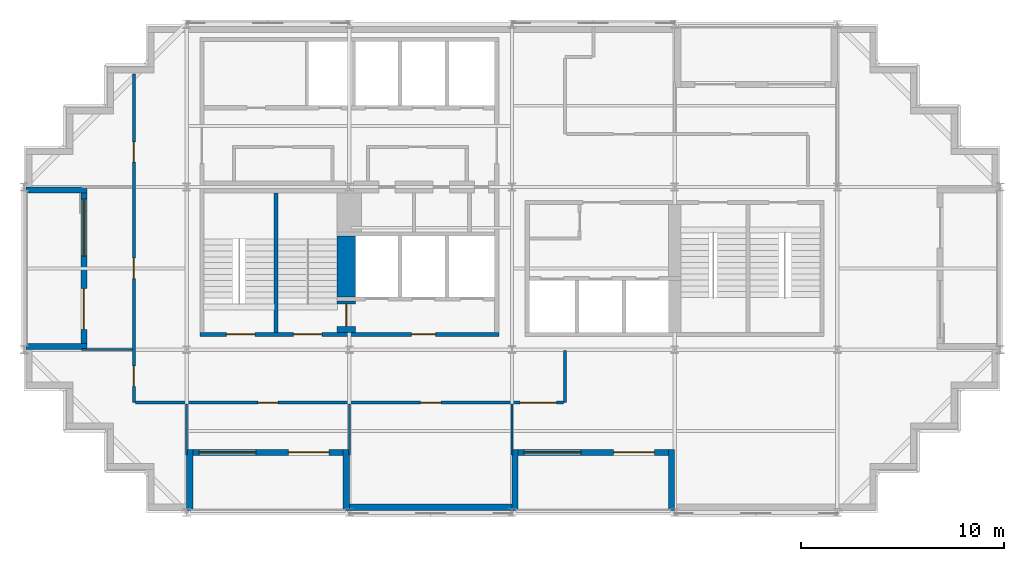
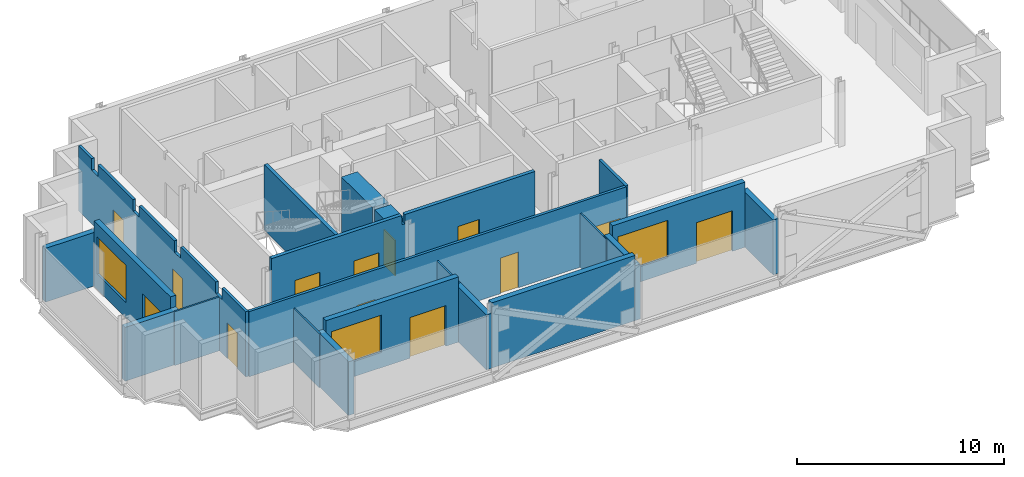
# One storey, part 4 of 8: 21 walls, 13 doors, 3 windows, 16 openings.
"""IFC4 building model written with IfcOpenShell, lengths in metres."""

from ifc_helpers import new_model, si_unit, direction, frame, frame_2d, origin, place, context, subcontext, project, spatial, polyline, rectangle, outline, extrude, material, layer, layer_set, type_object, element, fill, save


model = new_model("IFC4")

# Units and contexts
model_context = context("Model", 3, precision=1e-05, world=origin(), true_north=direction((0.0, 1.0)))
body_context = subcontext(model_context, "Body", "Model", "MODEL_VIEW")
ifc_project = project(units=[si_unit("LENGTHUNIT", "METRE"), si_unit("AREAUNIT", "SQUARE_METRE"), si_unit("VOLUMEUNIT", "CUBIC_METRE"), si_unit("PLANEANGLEUNIT", "RADIAN"), si_unit("MASSUNIT", "GRAM", prefix="KILO")], contexts=[model_context])

# Site, building, storey
site_placement = place(None, origin())
site = spatial("IfcSite", under=ifc_project, at=site_placement, CompositionType="ELEMENT")
building_placement = place(site_placement, origin())
building = spatial("IfcBuilding", under=site, at=building_placement, Name="Immortelle Media Tower", CompositionType="ELEMENT")
storey_placement = place(building_placement, frame((0.0, 0.0, 267.0)))
storey = spatial("IfcBuildingStorey", under=building, at=storey_placement, Name="L58", CompositionType="ELEMENT", Elevation=267.0)

# Wall, openings, doors
ifc_material_1 = material(Name="Fire-rated gypsum board", Category="gypsum")
ifc_layer_1 = layer(ifc_material_1, 0.012451171875)
ifc_material_2 = material(Name="Steel ASTM A653 SS Gr 50 stud frame with mineral wool", Category="steel")
ifc_layer_2 = layer(ifc_material_2, 0.125)
ifc_layer_3 = layer(ifc_material_1, 0.012451171875)
ifc_layer_set_1 = layer_set([ifc_layer_1, ifc_layer_2, ifc_layer_3], Name="Steel ASTM A653 SS Gr 50 stud frame with mineral wool")
wall_type_1 = type_object("IfcWallType", Name="Corridor wall 150", PredefinedType="PARTITIONING", material=ifc_layer_set_1)
wall_1_placement = place(storey_placement, frame((5.47509765625, 5.39990234375, 0.0), z_axis=(0.0, 0.0, 1.0), x_axis=(1.0, 0.0, 0.0)))
wall_1 = element("IfcWall", 1, at=wall_1_placement, inside=storey, type_object=wall_type_1, Name="Partition L58-004", PredefinedType="PARTITIONING", context=body_context, shape_type="SweptSolid", body=[
    extrude(rectangle(XDim=21.0498046875, YDim=0.14990234375, at=frame_2d((10.52490234375, 0.0))), origin(), (0.0, 0.0, 1.0), 3.85009765625),
])
opening_1_placement = place(wall_1_placement, frame((15.02490234375, 0.0, 0.0), z_axis=(0.0, 0.0, 1.0), x_axis=(-1.0, 0.0, 0.0)))
opening_1 = element("IfcOpeningElement", 2, at=opening_1_placement, cuts=wall_1, Name="Opening X3-F001", PredefinedType="OPENING", context=body_context, shape_type="SweptSolid", body=[
    extrude(rectangle(XDim=1.0, YDim=2.10009765625, at=frame_2d((0.5, 1.050048828125))), frame((0.0, 0.0849609375, 0.0), z_axis=(0.0, -1.0, 0.0), x_axis=(1.0, 0.0, 0.0)), (0.0, 0.0, 1.0), 0.169921875),
])
opening_2_placement = place(wall_1_placement, frame((7.02490234375, 0.0, 0.0), z_axis=(0.0, 0.0, 1.0), x_axis=(-1.0, 0.0, 0.0)))
opening_2 = element("IfcOpeningElement", 3, at=opening_2_placement, cuts=wall_1, Name="Opening X3-F002", PredefinedType="OPENING", context=body_context, shape_type="SweptSolid", body=[
    extrude(rectangle(XDim=1.0, YDim=2.10009765625, at=frame_2d((0.5, 1.050048828125))), frame((0.0, 0.0849609375, 0.0), z_axis=(0.0, -1.0, 0.0), x_axis=(1.0, 0.0, 0.0)), (0.0, 0.0, 1.0), 0.169921875),
])
opening_3_placement = place(wall_1_placement, frame((18.925048828125, 0.0, 0.0)))
opening_3 = element("IfcOpeningElement", 4, at=opening_3_placement, cuts=wall_1, Name="Opening X3-F004", PredefinedType="OPENING", context=body_context, shape_type="SweptSolid", body=[
    extrude(rectangle(XDim=1.800048828125, YDim=2.10009765625, at=frame_2d((0.89990234375, 1.050048828125))), frame((0.0, 0.0849609375, 0.0), z_axis=(0.0, -1.0, 0.0), x_axis=(1.0, 0.0, 0.0)), (0.0, 0.0, 1.0), 0.169921875),
])
ifc_material_3 = material(Name="Timber veneered door leaf, galvanised steel frame ASTM A653", Category="steel")
door_type_1 = type_object("IfcDoorType", Name="Room door 1000 x 2100", OperationType="NOTDEFINED", PredefinedType="DOOR", material=ifc_material_3)
door_1_placement = place(opening_1_placement, origin())
door_1 = element("IfcDoor", 5, at=door_1_placement, inside=storey, type_object=door_type_1, Name="Door X3-F001", OperationType="SINGLE_SWING_LEFT", OverallHeight=2.10009765625, OverallWidth=1.0, PredefinedType="DOOR", context=body_context, shape_type="SweptSolid", body=[
    extrude(rectangle(XDim=1.0, YDim=2.10009765625, at=frame_2d((0.5, 1.050048828125))), frame((0.0, 0.02490234375, 0.0), z_axis=(0.0, -1.0, 0.0), x_axis=(1.0, 0.0, 0.0)), (0.0, 0.0, 1.0), 0.050048828125),
])
fill(opening_1, door_1)
door_2_placement = place(opening_2_placement, origin())
door_2 = element("IfcDoor", 6, at=door_2_placement, inside=storey, type_object=door_type_1, Name="Door X3-F002", OperationType="SINGLE_SWING_LEFT", OverallHeight=2.10009765625, OverallWidth=1.0, PredefinedType="DOOR", context=body_context, shape_type="SweptSolid", body=[
    extrude(rectangle(XDim=1.0, YDim=2.10009765625, at=frame_2d((0.5, 1.050048828125))), frame((0.0, 0.02490234375, 0.0), z_axis=(0.0, -1.0, 0.0), x_axis=(1.0, 0.0, 0.0)), (0.0, 0.0, 1.0), 0.050048828125),
])
fill(opening_2, door_2)
door_type_2 = type_object("IfcDoorType", Name="Room door 1800 x 2100", OperationType="DOUBLE_DOOR_SINGLE_SWING", PredefinedType="DOOR", material=ifc_material_3)
door_3_placement = place(opening_3_placement, origin())
door_3 = element("IfcDoor", 7, at=door_3_placement, inside=storey, type_object=door_type_2, Name="Door X3-F004", OperationType="DOUBLE_DOOR_SINGLE_SWING", OverallHeight=2.10009765625, OverallWidth=1.800048828125, PredefinedType="DOOR", context=body_context, shape_type="SweptSolid", body=[
    extrude(rectangle(XDim=1.800048828125, YDim=2.10009765625, at=frame_2d((0.89990234375, 1.050048828125))), frame((0.0, 0.02490234375, 0.0), z_axis=(0.0, -1.0, 0.0), x_axis=(1.0, 0.0, 0.0)), (0.0, 0.0, 1.0), 0.050048828125),
])
fill(opening_3, door_3)

wall_2_placement = place(storey_placement, frame((5.39990234375, 5.39990234375, 0.0), z_axis=(0.0, 0.0, 1.0), x_axis=(0.0, 1.0, 0.0)))
wall_2 = element("IfcWall", 8, at=wall_2_placement, inside=storey, type_object=wall_type_1, Name="Partition L58-005", PredefinedType="PARTITIONING", context=body_context, shape_type="SweptSolid", body=[
    extrude(outline(polyline([(0.0, 0.0), (16.170166015625, 0.0), (16.169921875, 3.85009765625), (14.89990234375, 3.85009765625), (14.89794921875, 3.172119140625), (14.302001953125, 3.172119140625), (14.300048828125, 3.85009765625), (10.89990234375, 3.85009765625), (10.89794921875, 3.172119140625), (10.302001953125, 3.172119140625), (10.300048828125, 3.85009765625), (6.89990234375, 3.85009765625), (6.89794921875, 3.172119140625), (6.302001953125, 3.172119140625), (6.300048828125, 3.85009765625), (2.89990234375, 3.85009765625), (2.89794921875, 3.172119140625), (2.302001953125, 3.172119140625), (2.300048828125, 3.85009765625), (0.0, 3.85009765625), (0.0, 0.0)])), frame((0.0, 0.074951171875, 0.0), z_axis=(0.0, -1.0, 0.0), x_axis=(1.0, 0.0, 0.0)), (0.0, 0.0, 1.0), 0.14990234375),
])
opening_4_placement = place(wall_2_placement, frame((0.800048828125, 0.0, 0.0)))
opening_4 = element("IfcOpeningElement", 9, at=opening_4_placement, cuts=wall_2, Name="Opening X3-F003", PredefinedType="OPENING", context=body_context, shape_type="SweptSolid", body=[
    extrude(rectangle(XDim=1.0, YDim=2.10009765625, at=frame_2d((0.5, 1.050048828125))), frame((0.0, 0.0849609375, 0.0), z_axis=(0.0, -1.0, 0.0), x_axis=(1.0, 0.0, 0.0)), (0.0, 0.0, 1.0), 0.169921875),
])
opening_5_placement = place(wall_2_placement, frame((6.10009765625, 0.0, 0.0)))
opening_5 = element("IfcOpeningElement", 10, at=opening_5_placement, cuts=wall_2, Name="Opening X3-F005", PredefinedType="OPENING", context=body_context, shape_type="SweptSolid", body=[
    extrude(rectangle(XDim=1.0, YDim=2.10009765625, at=frame_2d((0.5, 1.050048828125))), frame((0.0, 0.0849609375, 0.0), z_axis=(0.0, -1.0, 0.0), x_axis=(1.0, 0.0, 0.0)), (0.0, 0.0, 1.0), 0.169921875),
])
opening_6_placement = place(wall_2_placement, frame((11.824951171875, 0.0, 0.0)))
opening_6 = element("IfcOpeningElement", 11, at=opening_6_placement, cuts=wall_2, Name="Opening X3-F006", PredefinedType="OPENING", context=body_context, shape_type="SweptSolid", body=[
    extrude(rectangle(XDim=1.0, YDim=2.10009765625, at=frame_2d((0.5, 1.050048828125))), frame((0.0, 0.0849609375, 0.0), z_axis=(0.0, -1.0, 0.0), x_axis=(1.0, 0.0, 0.0)), (0.0, 0.0, 1.0), 0.169921875),
])
door_4_placement = place(opening_4_placement, origin())
door_4 = element("IfcDoor", 12, at=door_4_placement, inside=storey, type_object=door_type_1, Name="Door X3-F003", OperationType="SINGLE_SWING_RIGHT", OverallHeight=2.10009765625, OverallWidth=1.0, PredefinedType="DOOR", context=body_context, shape_type="SweptSolid", body=[
    extrude(rectangle(XDim=1.0, YDim=2.10009765625, at=frame_2d((0.5, 1.050048828125))), frame((0.0, 0.02490234375, 0.0), z_axis=(0.0, -1.0, 0.0), x_axis=(1.0, 0.0, 0.0)), (0.0, 0.0, 1.0), 0.050048828125),
])
fill(opening_4, door_4)
door_5_placement = place(opening_5_placement, origin())
door_5 = element("IfcDoor", 13, at=door_5_placement, inside=storey, type_object=door_type_1, Name="Door X3-F005", OperationType="SINGLE_SWING_RIGHT", OverallHeight=2.10009765625, OverallWidth=1.0, PredefinedType="DOOR", context=body_context, shape_type="SweptSolid", body=[
    extrude(rectangle(XDim=1.0, YDim=2.10009765625, at=frame_2d((0.5, 1.050048828125))), frame((0.0, 0.02490234375, 0.0), z_axis=(0.0, -1.0, 0.0), x_axis=(1.0, 0.0, 0.0)), (0.0, 0.0, 1.0), 0.050048828125),
])
fill(opening_5, door_5)
door_6_placement = place(opening_6_placement, origin())
door_6 = element("IfcDoor", 14, at=door_6_placement, inside=storey, type_object=door_type_1, Name="Door X3-F006", OperationType="SINGLE_SWING_LEFT", OverallHeight=2.10009765625, OverallWidth=1.0, PredefinedType="DOOR", context=body_context, shape_type="SweptSolid", body=[
    extrude(rectangle(XDim=1.0, YDim=2.10009765625, at=frame_2d((0.5, 1.050048828125))), frame((0.0, 0.02490234375, 0.0), z_axis=(0.0, -1.0, 0.0), x_axis=(1.0, 0.0, 0.0)), (0.0, 0.0, 1.0), 0.050048828125),
])
fill(opening_6, door_6)

# Wall
wall_3_placement = place(storey_placement, frame((26.60009765625, 5.39990234375, 0.0), z_axis=(0.0, 0.0, 1.0), x_axis=(0.0, 1.0, 0.0)))
element("IfcWall", 15, at=wall_3_placement, inside=storey, type_object=wall_type_1, Name="Partition L58-006", PredefinedType="PARTITIONING", context=body_context, shape_type="SweptSolid", body=[
    extrude(rectangle(XDim=2.570068359375, YDim=0.14990234375, at=frame_2d((1.28515625, 0.0))), origin(), (0.0, 0.0, 1.0), 3.85009765625),
])

# Wall, openings, door, window
ifc_material_4 = material(Name="Pale aluminium cladding panel", Category="aluminium")
ifc_layer_4 = layer(ifc_material_4, 0.030029296875)
ifc_layer_5 = layer(ifc_material_2, 0.257568359375)
ifc_material_5 = material(Name="Moisture-resistant gypsum board", Category="gypsum")
ifc_layer_6 = layer(ifc_material_5, 0.012451171875)
ifc_layer_set_2 = layer_set([ifc_layer_4, ifc_layer_5, ifc_layer_6], Name="Steel ASTM A653 SS Gr 50 stud frame with mineral wool")
wall_type_2 = type_object("IfcWallType", Name="Facade wall 300", PredefinedType="SOLIDWALL", material=ifc_layer_set_2)
wall_4_placement = place(storey_placement, frame((8.300048828125, 2.949951171875, 0.0), z_axis=(0.0, 0.0, 1.0), x_axis=(1.0, 0.0, 0.0)))
wall_4 = element("IfcWall", 16, at=wall_4_placement, inside=storey, type_object=wall_type_2, Name="Loggia wall L58 S6", PredefinedType="SOLIDWALL", context=body_context, shape_type="SweptSolid", body=[
    extrude(rectangle(XDim=7.39990234375, YDim=0.300048828125, at=frame_2d((3.699951171875, 0.0))), origin(), (0.0, 0.0, 1.0), 3.85009765625),
])
opening_7_placement = place(wall_4_placement, frame((0.300048828125, 0.0, 0.89990234375)))
opening_7 = element("IfcOpeningElement", 17, at=opening_7_placement, cuts=wall_4, Name="Opening W1", PredefinedType="OPENING", context=body_context, shape_type="SweptSolid", body=[
    extrude(rectangle(XDim=2.800048828125, YDim=2.199951171875, at=frame_2d((1.39990234375, 1.10009765625))), frame((0.0, 0.159912109375, 0.0), z_axis=(0.0, -1.0, 0.0), x_axis=(1.0, 0.0, 0.0)), (0.0, 0.0, 1.0), 0.320068359375),
])
opening_8_placement = place(wall_4_placement, frame((4.699951171875, 0.0, 0.0)))
opening_8 = element("IfcOpeningElement", 18, at=opening_8_placement, cuts=wall_4, Name="Opening X3-E001", PredefinedType="OPENING", context=body_context, shape_type="SweptSolid", body=[
    extrude(rectangle(XDim=2.0, YDim=2.39990234375, at=frame_2d((1.0, 1.199951171875))), frame((0.0, 0.159912109375, 0.0), z_axis=(0.0, -1.0, 0.0), x_axis=(1.0, 0.0, 0.0)), (0.0, 0.0, 1.0), 0.320068359375),
])
ifc_material_6 = material(Name="Aluminium frame, glazed leaves", Category="aluminium")
door_type_3 = type_object("IfcDoorType", Name="Loggia door 2000 x 2400", OperationType="DOUBLE_DOOR_SINGLE_SWING", PredefinedType="DOOR", material=ifc_material_6)
door_7_placement = place(opening_8_placement, origin())
door_7 = element("IfcDoor", 19, at=door_7_placement, inside=storey, type_object=door_type_3, Name="Door X3-E001", OperationType="DOUBLE_DOOR_SINGLE_SWING", OverallHeight=2.39990234375, OverallWidth=2.0, PredefinedType="DOOR", context=body_context, shape_type="SweptSolid", body=[
    extrude(rectangle(XDim=2.0, YDim=2.39990234375, at=frame_2d((1.0, 1.199951171875))), frame((0.0, 0.02490234375, 0.0), z_axis=(0.0, -1.0, 0.0), x_axis=(1.0, 0.0, 0.0)), (0.0, 0.0, 1.0), 0.050048828125),
])
fill(opening_8, door_7)
ifc_material_7 = material(Name="Aluminium frame", Category="aluminium")
window_type = type_object("IfcWindowType", Name="Window 2800 x 2200", PartitioningType="SINGLE_PANEL", PredefinedType="WINDOW", material=ifc_material_7)
window_1_placement = place(opening_7_placement, origin())
window_1 = element("IfcWindow", 20, at=window_1_placement, inside=storey, type_object=window_type, Name="Window L58 L58-R6-B0", OverallHeight=2.199951171875, OverallWidth=2.800048828125, PartitioningType="SINGLE_PANEL", PredefinedType="WINDOW", context=body_context, shape_type="SweptSolid", body=[
    extrude(rectangle(XDim=2.800048828125, YDim=2.199951171875, at=frame_2d((1.39990234375, 1.10009765625))), frame((0.0, 0.030029296875, 0.0), z_axis=(0.0, -1.0, 0.0), x_axis=(1.0, 0.0, 0.0)), (0.0, 0.0, 1.0), 0.06005859375),
])
fill(opening_7, window_1)

# Walls
wall_5_placement = place(storey_placement, frame((8.14990234375, 0.10009765625, 0.0), z_axis=(0.0, 0.0, 1.0), x_axis=(0.0, 1.0, 0.0)))
element("IfcWall", 21, at=wall_5_placement, inside=storey, type_object=wall_type_2, Name="Loggia cheek wall L58 S", PredefinedType="SOLIDWALL", context=body_context, shape_type="SweptSolid", body=[
    extrude(rectangle(XDim=3.0, YDim=0.300048828125, at=frame_2d((1.5, 0.0))), origin(), (0.0, 0.0, 1.0), 3.1708984375),
])
wall_6_placement = place(storey_placement, frame((15.85009765625, 0.10009765625, 0.0), z_axis=(0.0, 0.0, 1.0), x_axis=(0.0, 1.0, 0.0)))
element("IfcWall", 22, at=wall_6_placement, inside=storey, type_object=wall_type_2, Name="Loggia cheek wall L58 S", PredefinedType="SOLIDWALL", context=body_context, shape_type="SweptSolid", body=[
    extrude(rectangle(XDim=3.0, YDim=0.300048828125, at=frame_2d((1.5, 0.0))), origin(), (0.0, 0.0, 1.0), 3.237060546875),
])
wall_7_placement = place(storey_placement, frame((16.0, 0.25, 0.0), z_axis=(0.0, 0.0, 1.0), x_axis=(1.0, 0.0, 0.0)))
element("IfcWall", 23, at=wall_7_placement, inside=storey, type_object=wall_type_2, Name="Facade wall L58 S6", PredefinedType="SOLIDWALL", context=body_context, shape_type="SweptSolid", body=[
    extrude(rectangle(XDim=8.0, YDim=0.300048828125, at=frame_2d((4.0, 0.0))), origin(), (0.0, 0.0, 1.0), 3.85009765625),
])

# Wall, openings, door, window
wall_8_placement = place(storey_placement, frame((24.300048828125, 2.949951171875, 0.0), z_axis=(0.0, 0.0, 1.0), x_axis=(1.0, 0.0, 0.0)))
wall_8 = element("IfcWall", 24, at=wall_8_placement, inside=storey, type_object=wall_type_2, Name="Loggia wall L58 S6", PredefinedType="SOLIDWALL", context=body_context, shape_type="SweptSolid", body=[
    extrude(rectangle(XDim=7.39990234375, YDim=0.300048828125, at=frame_2d((3.699951171875, 0.0))), origin(), (0.0, 0.0, 1.0), 3.85009765625),
])
opening_9_placement = place(wall_8_placement, frame((0.300048828125, 0.0, 0.89990234375)))
opening_9 = element("IfcOpeningElement", 25, at=opening_9_placement, cuts=wall_8, Name="Opening W1", PredefinedType="OPENING", context=body_context, shape_type="SweptSolid", body=[
    extrude(rectangle(XDim=2.800048828125, YDim=2.199951171875, at=frame_2d((1.39990234375, 1.10009765625))), frame((0.0, 0.159912109375, 0.0), z_axis=(0.0, -1.0, 0.0), x_axis=(1.0, 0.0, 0.0)), (0.0, 0.0, 1.0), 0.320068359375),
])
opening_10_placement = place(wall_8_placement, frame((4.699951171875, 0.0, 0.0)))
opening_10 = element("IfcOpeningElement", 26, at=opening_10_placement, cuts=wall_8, Name="Opening X3-E002", PredefinedType="OPENING", context=body_context, shape_type="SweptSolid", body=[
    extrude(rectangle(XDim=2.0, YDim=2.39990234375, at=frame_2d((1.0, 1.199951171875))), frame((0.0, 0.159912109375, 0.0), z_axis=(0.0, -1.0, 0.0), x_axis=(1.0, 0.0, 0.0)), (0.0, 0.0, 1.0), 0.320068359375),
])
door_8_placement = place(opening_10_placement, origin())
door_8 = element("IfcDoor", 27, at=door_8_placement, inside=storey, type_object=door_type_3, Name="Door X3-E002", OperationType="DOUBLE_DOOR_SINGLE_SWING", OverallHeight=2.39990234375, OverallWidth=2.0, PredefinedType="DOOR", context=body_context, shape_type="SweptSolid", body=[
    extrude(rectangle(XDim=2.0, YDim=2.39990234375, at=frame_2d((1.0, 1.199951171875))), frame((0.0, 0.02490234375, 0.0), z_axis=(0.0, -1.0, 0.0), x_axis=(1.0, 0.0, 0.0)), (0.0, 0.0, 1.0), 0.050048828125),
])
fill(opening_10, door_8)
window_2_placement = place(opening_9_placement, origin())
window_2 = element("IfcWindow", 28, at=window_2_placement, inside=storey, type_object=window_type, Name="Window L58 L58-R6-B2", OverallHeight=2.199951171875, OverallWidth=2.800048828125, PartitioningType="SINGLE_PANEL", PredefinedType="WINDOW", context=body_context, shape_type="SweptSolid", body=[
    extrude(rectangle(XDim=2.800048828125, YDim=2.199951171875, at=frame_2d((1.39990234375, 1.10009765625))), frame((0.0, 0.030029296875, 0.0), z_axis=(0.0, -1.0, 0.0), x_axis=(1.0, 0.0, 0.0)), (0.0, 0.0, 1.0), 0.06005859375),
])
fill(opening_9, window_2)

# Walls
for number, where, z_axis, x_axis, name in (
    (29, (24.14990234375, 0.10009765625, 0.0), (0.0, 0.0, 1.0), (0.0, 1.0, 0.0), "Loggia cheek wall L58 S"),
    (30, (31.85009765625, 0.10009765625, 0.0), (0.0, 0.0, 1.0), (0.0, 1.0, 0.0), "Loggia cheek wall L58 S"),
):
    element("IfcWall", number, at=place(storey_placement, frame(where, z_axis=z_axis, x_axis=x_axis)), inside=storey, type_object=wall_type_2, Name=name, PredefinedType="SOLIDWALL", context=body_context, shape_type="SweptSolid", body=[
        extrude(rectangle(XDim=3.0, YDim=0.300048828125, at=frame_2d((1.5, 0.0))), origin(), (0.0, 0.0, 1.0), 3.237060546875),
    ])

# Wall, openings, door, window
wall_9_placement = place(storey_placement, frame((2.949951171875, 15.699951171875, 0.0), z_axis=(0.0, 0.0, 1.0), x_axis=(0.0, -1.0, 0.0)))
wall_9 = element("IfcWall", 31, at=wall_9_placement, inside=storey, type_object=wall_type_2, Name="Loggia wall L58 W27", PredefinedType="SOLIDWALL", context=body_context, shape_type="SweptSolid", body=[
    extrude(rectangle(XDim=7.39990234375, YDim=0.300048828125, at=frame_2d((3.699951171875, 0.0))), origin(), (0.0, 0.0, 1.0), 3.85009765625),
])
opening_11_placement = place(wall_9_placement, frame((0.300048828125, 0.0, 0.89990234375)))
opening_11 = element("IfcOpeningElement", 32, at=opening_11_placement, cuts=wall_9, Name="Opening W1", PredefinedType="OPENING", context=body_context, shape_type="SweptSolid", body=[
    extrude(rectangle(XDim=2.800048828125, YDim=2.199951171875, at=frame_2d((1.39990234375, 1.10009765625))), frame((0.0, 0.159912109375, 0.0), z_axis=(0.0, -1.0, 0.0), x_axis=(1.0, 0.0, 0.0)), (0.0, 0.0, 1.0), 0.320068359375),
])
opening_12_placement = place(wall_9_placement, frame((4.699951171875, 0.0, 0.0)))
opening_12 = element("IfcOpeningElement", 33, at=opening_12_placement, cuts=wall_9, Name="Opening X3-E006", PredefinedType="OPENING", context=body_context, shape_type="SweptSolid", body=[
    extrude(rectangle(XDim=2.0, YDim=2.39990234375, at=frame_2d((1.0, 1.199951171875))), frame((0.0, 0.159912109375, 0.0), z_axis=(0.0, -1.0, 0.0), x_axis=(1.0, 0.0, 0.0)), (0.0, 0.0, 1.0), 0.320068359375),
])
door_9_placement = place(opening_12_placement, origin())
door_9 = element("IfcDoor", 34, at=door_9_placement, inside=storey, type_object=door_type_3, Name="Door X3-E006", OperationType="DOUBLE_DOOR_SINGLE_SWING", OverallHeight=2.39990234375, OverallWidth=2.0, PredefinedType="DOOR", context=body_context, shape_type="SweptSolid", body=[
    extrude(rectangle(XDim=2.0, YDim=2.39990234375, at=frame_2d((1.0, 1.199951171875))), frame((0.0, 0.02490234375, 0.0), z_axis=(0.0, -1.0, 0.0), x_axis=(1.0, 0.0, 0.0)), (0.0, 0.0, 1.0), 0.050048828125),
])
fill(opening_12, door_9)
window_3_placement = place(opening_11_placement, origin())
window_3 = element("IfcWindow", 35, at=window_3_placement, inside=storey, type_object=window_type, Name="Window L58 L58-R27-B0", OverallHeight=2.199951171875, OverallWidth=2.800048828125, PartitioningType="SINGLE_PANEL", PredefinedType="WINDOW", context=body_context, shape_type="SweptSolid", body=[
    extrude(rectangle(XDim=2.800048828125, YDim=2.199951171875, at=frame_2d((1.39990234375, 1.10009765625))), frame((0.0, 0.030029296875, 0.0), z_axis=(0.0, -1.0, 0.0), x_axis=(1.0, 0.0, 0.0)), (0.0, 0.0, 1.0), 0.06005859375),
])
fill(opening_11, window_3)

# Walls
for number, where, z_axis, x_axis, name in (
    (36, (0.10009765625, 15.85009765625, 0.0), (0.0, 0.0, 1.0), (1.0, 0.0, 0.0), "Loggia cheek wall L58 W"),
    (37, (0.10009765625, 8.14990234375, 0.0), (0.0, 0.0, 1.0), (1.0, 0.0, 0.0), "Loggia cheek wall L58 W"),
):
    element("IfcWall", number, at=place(storey_placement, frame(where, z_axis=z_axis, x_axis=x_axis)), inside=storey, type_object=wall_type_2, Name=name, PredefinedType="SOLIDWALL", context=body_context, shape_type="SweptSolid", body=[
        extrude(rectangle(XDim=3.0, YDim=0.300048828125, at=frame_2d((1.5, 0.0))), origin(), (0.0, 0.0, 1.0), 3.1708984375),
    ])
ifc_material_8 = material(Name="Gypsum board", Category="gypsum")
ifc_layer_7 = layer(ifc_material_8, 0.012451171875)
ifc_layer_8 = layer(ifc_material_2, 0.074951171875)
ifc_layer_9 = layer(ifc_material_8, 0.012451171875)
ifc_layer_set_3 = layer_set([ifc_layer_7, ifc_layer_8, ifc_layer_9], Name="Steel ASTM A653 SS Gr 50 stud frame with mineral wool")
wall_type_3 = type_object("IfcWallType", Name="Partition 100", PredefinedType="PARTITIONING", material=ifc_layer_set_3)
for number, where, z_axis, x_axis, name in (
    (38, (8.0, 2.830078125, 0.0), (0.0, 0.0, 1.0), (0.0, 1.0, 0.0), "Partition L58-001"),
    (39, (16.0, 2.830078125, 0.0), (0.0, 0.0, 1.0), (0.0, 1.0, 0.0), "Partition L58-002"),
    (40, (24.0, 2.830078125, 0.0), (0.0, 0.0, 1.0), (0.0, 1.0, 0.0), "Partition L58-003"),
    (41, (2.830078125, 8.0, 0.0), (0.0, 0.0, 1.0), (1.0, 0.0, 0.0), "Partition L58-007"),
):
    element("IfcWall", number, at=place(storey_placement, frame(where, z_axis=z_axis, x_axis=x_axis)), inside=storey, type_object=wall_type_3, Name=name, PredefinedType="PARTITIONING", context=body_context, shape_type="SweptSolid", body=[
        extrude(rectangle(XDim=2.494873046875, YDim=0.10009765625, at=frame_2d((1.24755859375, 0.0))), origin(), (0.0, 0.0, 1.0), 3.172119140625),
    ])

# Wall, openings, doors
ifc_material_9 = material(Name="Concrete C60", Category="concrete")
ifc_layer_10 = layer(ifc_material_9, 0.199951171875)
ifc_layer_set_4 = layer_set([ifc_layer_10], Name="Concrete C60")
wall_type_4 = type_object("IfcWallType", Name="Stair shaft wall 200", PredefinedType="PARTITIONING", material=ifc_layer_set_4)
wall_10_placement = place(storey_placement, frame((8.64990234375, 8.75, 0.0), z_axis=(0.0, 0.0, 1.0), x_axis=(1.0, 0.0, 0.0)))
wall_10 = element("IfcWall", 42, at=wall_10_placement, inside=storey, type_object=wall_type_4, Name="Stair shaft wall SW", PredefinedType="PARTITIONING", context=body_context, shape_type="SweptSolid", body=[
    extrude(outline(polyline([(0.0, 0.0), (14.7001953125, 0.0), (14.699951171875, 3.85009765625), (7.4384765625, 3.85009765625), (7.4375, 3.30810546875), (7.262451171875, 3.30810546875), (7.261474609375, 3.85009765625), (0.0, 3.85009765625), (0.0, 0.0)])), frame((0.0, 0.10009765625, 0.0), z_axis=(0.0, -1.0, 0.0), x_axis=(1.0, 0.0, 0.0)), (0.0, 0.0, 1.0), 0.199951171875),
])
opening_13_placement = place(wall_10_placement, frame((1.300048828125, 0.0, 0.0)))
opening_13 = element("IfcOpeningElement", 43, at=opening_13_placement, cuts=wall_10, Name="Opening X3-K002", PredefinedType="OPENING", context=body_context, shape_type="SweptSolid", body=[
    extrude(rectangle(XDim=1.39990234375, YDim=2.10009765625, at=frame_2d((0.699951171875, 1.050048828125))), frame((0.0, 0.10986328125, 0.0), z_axis=(0.0, -1.0, 0.0), x_axis=(1.0, 0.0, 0.0)), (0.0, 0.0, 1.0), 0.219970703125),
])
opening_14_placement = place(wall_10_placement, frame((4.60009765625, 0.0, 0.0)))
opening_14 = element("IfcOpeningElement", 44, at=opening_14_placement, cuts=wall_10, Name="Opening X3-K005", PredefinedType="OPENING", context=body_context, shape_type="SweptSolid", body=[
    extrude(rectangle(XDim=1.39990234375, YDim=2.10009765625, at=frame_2d((0.699951171875, 1.050048828125))), frame((0.0, 0.10986328125, 0.0), z_axis=(0.0, -1.0, 0.0), x_axis=(1.0, 0.0, 0.0)), (0.0, 0.0, 1.0), 0.219970703125),
])
opening_15_placement = place(wall_10_placement, frame((10.39990234375, 0.0, 0.0)))
opening_15 = element("IfcOpeningElement", 45, at=opening_15_placement, cuts=wall_10, Name="Opening X3-K012", PredefinedType="OPENING", context=body_context, shape_type="SweptSolid", body=[
    extrude(rectangle(XDim=1.199951171875, YDim=2.10009765625, at=frame_2d((0.60009765625, 1.050048828125))), frame((0.0, 0.10986328125, 0.0), z_axis=(0.0, -1.0, 0.0), x_axis=(1.0, 0.0, 0.0)), (0.0, 0.0, 1.0), 0.219970703125),
])
ifc_material_10 = material(Name="Galvanised steel door leaf and frame ASTM A653", Category="steel")
door_type_4 = type_object("IfcDoorType", Name="Fire-fighting lobby door 1200 x 2100", OperationType="NOTDEFINED", PredefinedType="NOTDEFINED", material=ifc_material_10)
door_10_placement = place(opening_15_placement, origin())
door_10 = element("IfcDoor", 46, at=door_10_placement, inside=storey, type_object=door_type_4, Name="Fire-fighting lobby X3-K012", OperationType="SINGLE_SWING_RIGHT", OverallHeight=2.10009765625, OverallWidth=1.199951171875, PredefinedType="NOTDEFINED", context=body_context, shape_type="SweptSolid", body=[
    extrude(rectangle(XDim=1.199951171875, YDim=2.10009765625, at=frame_2d((0.60009765625, 1.050048828125))), frame((0.0, 0.02490234375, 0.0), z_axis=(0.0, -1.0, 0.0), x_axis=(1.0, 0.0, 0.0)), (0.0, 0.0, 1.0), 0.050048828125),
])
fill(opening_15, door_10)
door_type_5 = type_object("IfcDoorType", Name="Stair door 1400 x 2100", OperationType="DOUBLE_DOOR_SINGLE_SWING", PredefinedType="NOTDEFINED", material=ifc_material_10)
door_11_placement = place(opening_13_placement, origin())
door_11 = element("IfcDoor", 47, at=door_11_placement, inside=storey, type_object=door_type_5, Name="Stair X3-K002", OperationType="DOUBLE_DOOR_SINGLE_SWING", OverallHeight=2.10009765625, OverallWidth=1.39990234375, PredefinedType="NOTDEFINED", context=body_context, shape_type="SweptSolid", body=[
    extrude(rectangle(XDim=1.39990234375, YDim=2.10009765625, at=frame_2d((0.699951171875, 1.050048828125))), frame((0.0, 0.02490234375, 0.0), z_axis=(0.0, -1.0, 0.0), x_axis=(1.0, 0.0, 0.0)), (0.0, 0.0, 1.0), 0.050048828125),
])
fill(opening_13, door_11)
door_12_placement = place(opening_14_placement, origin())
door_12 = element("IfcDoor", 48, at=door_12_placement, inside=storey, type_object=door_type_5, Name="Stair X3-K005", OperationType="DOUBLE_DOOR_SINGLE_SWING", OverallHeight=2.10009765625, OverallWidth=1.39990234375, PredefinedType="NOTDEFINED", context=body_context, shape_type="SweptSolid", body=[
    extrude(rectangle(XDim=1.39990234375, YDim=2.10009765625, at=frame_2d((0.699951171875, 1.050048828125))), frame((0.0, 0.02490234375, 0.0), z_axis=(0.0, -1.0, 0.0), x_axis=(1.0, 0.0, 0.0)), (0.0, 0.0, 1.0), 0.050048828125),
])
fill(opening_14, door_12)

# Wall
wall_11_placement = place(storey_placement, frame((12.39990234375, 8.85009765625, 0.0), z_axis=(0.0, 0.0, 1.0), x_axis=(0.0, 1.0, 0.0)))
element("IfcWall", 49, at=wall_11_placement, inside=storey, type_object=wall_type_4, Name="Stair shaft wall SW", PredefinedType="PARTITIONING", context=body_context, shape_type="SweptSolid", body=[
    extrude(rectangle(XDim=6.849853515625, YDim=0.199951171875, at=frame_2d((3.4248046875, 0.0))), origin(), (0.0, 0.0, 1.0), 3.85009765625),
])

# Wall, opening, door
ifc_layer_11 = layer(ifc_material_9, 0.89990234375)
ifc_layer_set_5 = layer_set([ifc_layer_11], Name="Concrete C60")
wall_type_5 = type_object("IfcWallType", Name="Stair shaft wall 900", PredefinedType="PARTITIONING", material=ifc_layer_set_5)
wall_12_placement = place(storey_placement, frame((15.85009765625, 8.85009765625, 0.0), z_axis=(0.0, 0.0, 1.0), x_axis=(0.0, 1.0, 0.0)))
wall_12 = element("IfcWall", 50, at=wall_12_placement, inside=storey, type_object=wall_type_5, Name="Stair shaft wall SW", PredefinedType="PARTITIONING", context=body_context, shape_type="SweptSolid", body=[
    extrude(rectangle(XDim=1.5498046875, YDim=0.89990234375, at=frame_2d((0.77490234375, 0.0))), origin(), (0.0, 0.0, 1.0), 3.30810546875),
])
opening_16_placement = place(wall_12_placement, frame((0.300048828125, 0.0, 0.0)))
opening_16 = element("IfcOpeningElement", 51, at=opening_16_placement, cuts=wall_12, Name="Opening X3-K007", PredefinedType="OPENING", context=body_context, shape_type="SweptSolid", body=[
    extrude(rectangle(XDim=1.10009765625, YDim=2.10009765625, at=frame_2d((0.550048828125, 1.050048828125))), frame((0.0, 0.4599609375, 0.0), z_axis=(0.0, -1.0, 0.0), x_axis=(1.0, 0.0, 0.0)), (0.0, 0.0, 1.0), 0.919921875),
])
door_type_6 = type_object("IfcDoorType", Name="Stair lobby door 1100 x 2100", OperationType="NOTDEFINED", PredefinedType="NOTDEFINED", material=ifc_material_10)
door_13_placement = place(opening_16_placement, origin())
door_13 = element("IfcDoor", 52, at=door_13_placement, inside=storey, type_object=door_type_6, Name="Stair lobby X3-K007", OperationType="SINGLE_SWING_LEFT", OverallHeight=2.10009765625, OverallWidth=1.10009765625, PredefinedType="NOTDEFINED", context=body_context, shape_type="SweptSolid", body=[
    extrude(rectangle(XDim=1.10009765625, YDim=2.10009765625, at=frame_2d((0.550048828125, 1.050048828125))), frame((0.0, 0.02490234375, 0.0), z_axis=(0.0, -1.0, 0.0), x_axis=(1.0, 0.0, 0.0)), (0.0, 0.0, 1.0), 0.050048828125),
])
fill(opening_16, door_13)

# Wall
wall_13_placement = place(storey_placement, frame((15.85009765625, 10.60009765625, 0.0), z_axis=(0.0, 0.0, 1.0), x_axis=(0.0, 1.0, 0.0)))
element("IfcWall", 53, at=wall_13_placement, inside=storey, type_object=wall_type_5, Name="Stair shaft wall SW", PredefinedType="PARTITIONING", context=body_context, shape_type="SweptSolid", body=[
    extrude(rectangle(XDim=3.0, YDim=0.89990234375, at=frame_2d((1.5, 0.0))), origin(), (0.0, 0.0, 1.0), 3.30810546875),
])

save(model, "model.ifc")
